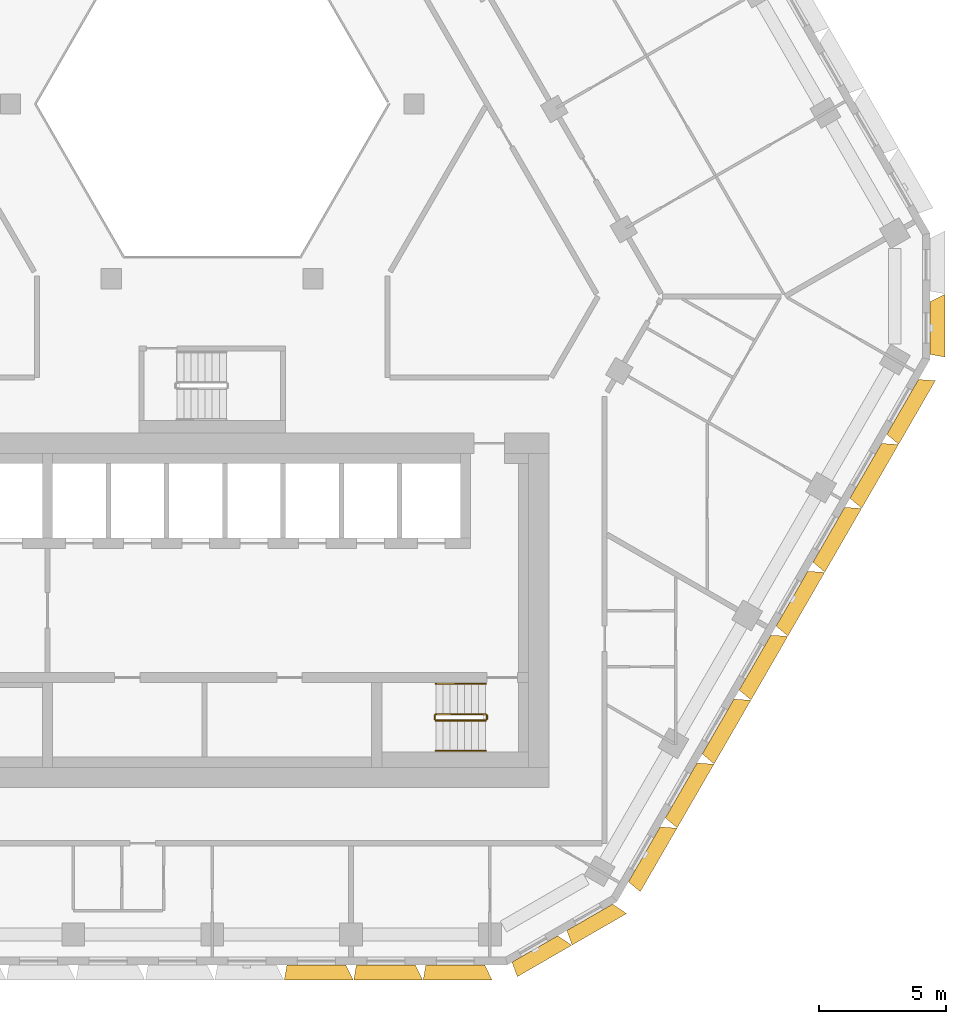
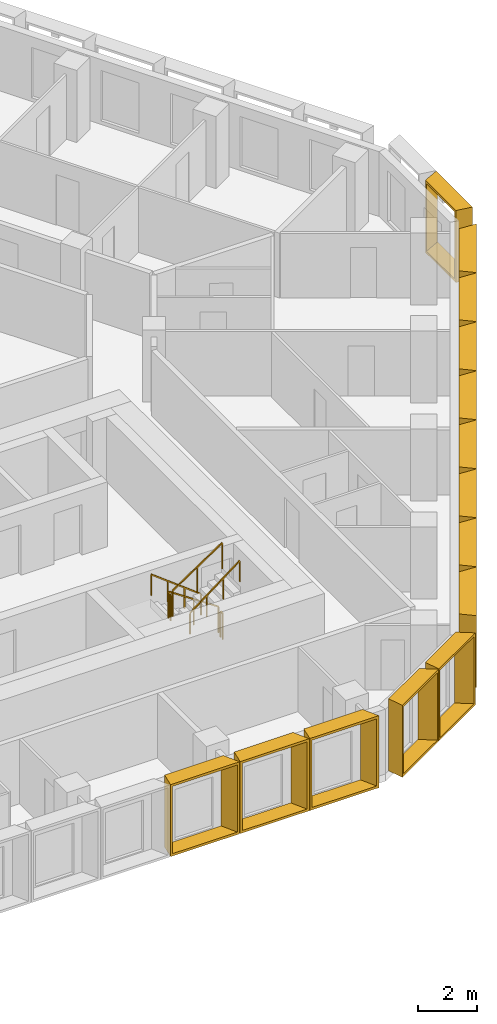
# One storey, part 16 of 17: 14 shading devices, 6 railings.
"""IFC4 building model written with IfcOpenShell, lengths in metres."""

from ifc_helpers import new_model, entity, si_unit, direction, frame, origin, origin_2d, place, context, subcontext, project, spatial, rectangle, extrude, source, transform, mapped, material, type_object, type_shapes, element, save


model = new_model("IFC4")

# Units and contexts
model_context = context("Model", 3, precision=1e-05, world=origin(), true_north=direction((0.0, 1.0)))
body_context = subcontext(model_context, "Body", "Model", "MODEL_VIEW")
ifc_project = project(units=[si_unit("LENGTHUNIT", "METRE"), si_unit("AREAUNIT", "SQUARE_METRE"), si_unit("VOLUMEUNIT", "CUBIC_METRE"), si_unit("PLANEANGLEUNIT", "RADIAN"), si_unit("MASSUNIT", "GRAM", prefix="KILO")], contexts=[model_context])

# Site, building, storey
site_placement = place(None, origin())
site = spatial("IfcSite", under=ifc_project, at=site_placement, CompositionType="ELEMENT")
building_placement = place(site_placement, origin())
building = spatial("IfcBuilding", under=site, at=building_placement, Name="Beryl Residences", CompositionType="ELEMENT")
storey_placement = place(building_placement, frame((0.0, 0.0, 120.60009765625)))
storey = spatial("IfcBuildingStorey", under=building, at=storey_placement, Name="L36", CompositionType="ELEMENT", Elevation=120.60009765625)

# Shading devices
ifc_material_1 = material(Name="Aluminium pale anodised", Category="aluminium")
shading_device_type_1 = type_object("IfcShadingDeviceType", Name="FR250-60C OUTER SKIN frame 600 mm deep, splay 10/26 deg, 2500 x 3000 mm cell", PredefinedType="USERDEFINED", material=ifc_material_1)
cartesian_point_1 = entity("IfcCartesianPoint", [-1.04052734375, 0.0])
cartesian_point_2 = entity("IfcCartesianPoint", [-0.959228515625, 0.10009765625])
cartesian_point_3 = entity("IfcCartesianPoint", [-1.146240234375, 0.0])
cartesian_point_4 = entity("IfcCartesianPoint", [-1.06494140625, 0.10009765625])
shared_shape_1 = source(origin(), body_context, "Body", "SweptSolid", [
    entity("IfcExtrudedAreaSolidTapered", entity("IfcArbitraryProfileDefWithVoids", "AREA", None, entity("IfcPolyline", [cartesian_point_1, entity("IfcCartesianPoint", [1.04052734375, 0.0]), entity("IfcCartesianPoint", [1.04052734375, 3.0]), entity("IfcCartesianPoint", [-1.04052734375, 3.0]), cartesian_point_1]), [entity("IfcPolyline", [cartesian_point_2, entity("IfcCartesianPoint", [0.951416015625, 0.10009765625]), entity("IfcCartesianPoint", [0.951416015625, 2.89990234375]), entity("IfcCartesianPoint", [-0.959228515625, 2.89990234375]), cartesian_point_2])]), entity("IfcAxis2Placement3D", entity("IfcCartesianPoint", [0.0, 0.0, 0.0]), entity("IfcDirection", [0.0, 1.0, 0.0]), entity("IfcDirection", [-1.0, 0.0, 0.0])), entity("IfcDirection", [0.0, 0.0, 1.0]), 0.60009765625, entity("IfcArbitraryProfileDefWithVoids", "AREA", None, entity("IfcPolyline", [cartesian_point_3, entity("IfcCartesianPoint", [1.333251953125, 0.0]), entity("IfcCartesianPoint", [1.333251953125, 3.0]), entity("IfcCartesianPoint", [-1.146240234375, 3.0]), cartesian_point_3]), [entity("IfcPolyline", [cartesian_point_4, entity("IfcCartesianPoint", [1.244140625, 0.10009765625]), entity("IfcCartesianPoint", [1.244140625, 2.89990234375]), entity("IfcCartesianPoint", [-1.06494140625, 2.89990234375]), cartesian_point_4])])),
])
type_shapes(shading_device_type_1, [shared_shape_1])
for number, where, z_axis, x_axis, name in (
    (1, (12.7451171875, -25.375, 0.0), (0.0, 0.0, 1.0), (-0.866025403784, -0.5, 0.0), "FR250-60C frame L36 S-SE 1"),
    (2, (14.909912109375, -24.125, 0.0), (0.0, 0.0, 1.0), (-0.866025403784, -0.5, 0.0), "FR250-60C frame L36 S-SE 2"),
    (3, (28.347900390625, -0.85009765625, 0.0), (0.0, 0.0, 1.0), (0.0, -1.0, 0.0), "FR250-60C frame L36 SE-NE 1"),
):
    element("IfcShadingDevice", number, at=place(storey_placement, frame(where, z_axis=z_axis, x_axis=x_axis)), inside=storey, type_object=shading_device_type_1, Name=name, ObjectType="OUTER SKIN", PredefinedType="USERDEFINED", context=body_context, shape_type="MappedRepresentation", body=[
        mapped(shared_shape_1, transform((0.0, 0.0, 0.0))),
    ])
ifc_material_2 = material(Name="Aluminium pale anodised", Category="aluminium")
shading_device_type_2 = type_object("IfcShadingDeviceType", Name="FR274-60C OUTER SKIN frame 600 mm deep, splay 10/26 deg, 2740 x 3000 mm cell", PredefinedType="USERDEFINED", material=ifc_material_2)
cartesian_point_5 = entity("IfcCartesianPoint", [-1.160400390625, 0.0])
cartesian_point_6 = entity("IfcCartesianPoint", [-1.079345703125, 0.10009765625])
cartesian_point_7 = entity("IfcCartesianPoint", [-1.266357421875, 0.0])
cartesian_point_8 = entity("IfcCartesianPoint", [-1.18505859375, 0.10009765625])
shared_shape_2 = source(origin(), body_context, "Body", "SweptSolid", [
    entity("IfcExtrudedAreaSolidTapered", entity("IfcArbitraryProfileDefWithVoids", "AREA", None, entity("IfcPolyline", [cartesian_point_5, entity("IfcCartesianPoint", [1.160400390625, 0.0]), entity("IfcCartesianPoint", [1.160400390625, 3.0]), entity("IfcCartesianPoint", [-1.160400390625, 3.0]), cartesian_point_5]), [entity("IfcPolyline", [cartesian_point_6, entity("IfcCartesianPoint", [1.071533203125, 0.10009765625]), entity("IfcCartesianPoint", [1.071533203125, 2.89990234375]), entity("IfcCartesianPoint", [-1.079345703125, 2.89990234375]), cartesian_point_6])]), entity("IfcAxis2Placement3D", entity("IfcCartesianPoint", [0.0, 0.0, 0.0]), entity("IfcDirection", [0.0, 1.0, 0.0]), entity("IfcDirection", [-1.0, 0.0, 0.0])), entity("IfcDirection", [0.0, 0.0, 1.0]), 0.60009765625, entity("IfcArbitraryProfileDefWithVoids", "AREA", None, entity("IfcPolyline", [cartesian_point_7, entity("IfcCartesianPoint", [1.453125, 0.0]), entity("IfcCartesianPoint", [1.453125, 3.0]), entity("IfcCartesianPoint", [-1.266357421875, 3.0]), cartesian_point_7]), [entity("IfcPolyline", [cartesian_point_8, entity("IfcCartesianPoint", [1.364013671875, 0.10009765625]), entity("IfcCartesianPoint", [1.364013671875, 2.89990234375]), entity("IfcCartesianPoint", [-1.18505859375, 2.89990234375]), cartesian_point_8])])),
])
type_shapes(shading_device_type_2, [shared_shape_2])
for number, where, z_axis, x_axis, name in (
    (4, (4.114990234375, -26.0, 0.0), (0.0, 0.0, 1.0), (-1.0, 0.0, 0.0), "FR274-60C frame L36 S 6"),
    (5, (6.85693359375, -26.0, 0.0), (0.0, 0.0, 1.0), (-1.0, 0.0, 0.0), "FR274-60C frame L36 S 7"),
    (6, (9.60009765625, -26.0, 0.0), (0.0, 0.0, 1.0), (-1.0, 0.0, 0.0), "FR274-60C frame L36 S 8"),
):
    element("IfcShadingDevice", number, at=place(storey_placement, frame(where, z_axis=z_axis, x_axis=x_axis)), inside=storey, type_object=shading_device_type_2, Name=name, ObjectType="OUTER SKIN", PredefinedType="USERDEFINED", context=body_context, shape_type="MappedRepresentation", body=[
        mapped(shared_shape_2, transform((0.0, 0.0, 0.0))),
    ])
ifc_material_3 = material(Name="Aluminium pale anodised", Category="aluminium")
shading_device_type_3 = type_object("IfcShadingDeviceType", Name="FR292-60C OUTER SKIN frame 600 mm deep, splay 10/26 deg, 2920 x 3000 mm cell", PredefinedType="USERDEFINED", material=ifc_material_3)
cartesian_point_9 = entity("IfcCartesianPoint", [-1.25048828125, 0.0])
cartesian_point_10 = entity("IfcCartesianPoint", [-1.169189453125, 0.10009765625])
cartesian_point_11 = entity("IfcCartesianPoint", [-1.356201171875, 0.0])
cartesian_point_12 = entity("IfcCartesianPoint", [-1.275146484375, 0.10009765625])
shared_shape_3 = source(origin(), body_context, "Body", "SweptSolid", [
    entity("IfcExtrudedAreaSolidTapered", entity("IfcArbitraryProfileDefWithVoids", "AREA", None, entity("IfcPolyline", [cartesian_point_9, entity("IfcCartesianPoint", [1.25048828125, 0.0]), entity("IfcCartesianPoint", [1.25048828125, 3.0]), entity("IfcCartesianPoint", [-1.25048828125, 3.0]), cartesian_point_9]), [entity("IfcPolyline", [cartesian_point_10, entity("IfcCartesianPoint", [1.161376953125, 0.10009765625]), entity("IfcCartesianPoint", [1.161376953125, 2.89990234375]), entity("IfcCartesianPoint", [-1.169189453125, 2.89990234375]), cartesian_point_10])]), entity("IfcAxis2Placement3D", entity("IfcCartesianPoint", [0.0, 0.0, 0.0]), entity("IfcDirection", [0.0, 1.0, 0.0]), entity("IfcDirection", [-1.0, 0.0, 0.0])), entity("IfcDirection", [0.0, 0.0, 1.0]), 0.60009765625, entity("IfcArbitraryProfileDefWithVoids", "AREA", None, entity("IfcPolyline", [cartesian_point_11, entity("IfcCartesianPoint", [1.543212890625, 0.0]), entity("IfcCartesianPoint", [1.543212890625, 3.0]), entity("IfcCartesianPoint", [-1.356201171875, 3.0]), cartesian_point_11]), [entity("IfcPolyline", [cartesian_point_12, entity("IfcCartesianPoint", [1.4541015625, 0.10009765625]), entity("IfcCartesianPoint", [1.4541015625, 2.89990234375]), entity("IfcCartesianPoint", [-1.275146484375, 2.89990234375]), cartesian_point_12])])),
])
type_shapes(shading_device_type_3, [shared_shape_3])
for number, where, z_axis, x_axis, name in (
    (7, (17.06689453125, -21.637939453125, 0.0), (0.0, 0.0, 1.0), (-0.5, -0.866025403784, 0.0), "FR292-60C frame L36 SE 1"),
    (8, (18.52490234375, -19.113037109375, 0.0), (0.0, 0.0, 1.0), (-0.5, -0.866025403784, 0.0), "FR292-60C frame L36 SE 2"),
    (9, (19.98291015625, -16.587890625, 0.0), (0.0, 0.0, 1.0), (-0.5, -0.866025403784, 0.0), "FR292-60C frame L36 SE 3"),
    (10, (21.44091796875, -14.06298828125, 0.0), (0.0, 0.0, 1.0), (-0.5, -0.866025403784, 0.0), "FR292-60C frame L36 SE 4"),
    (11, (22.89794921875, -11.5380859375, 0.0), (0.0, 0.0, 1.0), (-0.5, -0.866025403784, 0.0), "FR292-60C frame L36 SE 5"),
    (12, (24.35595703125, -9.013916015625, 0.0), (0.0, 0.0, 1.0), (-0.5, -0.866025403784, 0.0), "FR292-60C frame L36 SE 6"),
    (13, (25.81396484375, -6.489013671875, 0.0), (0.0, 0.0, 1.0), (-0.5, -0.866025403784, 0.0), "FR292-60C frame L36 SE 7"),
    (14, (27.27197265625, -3.964111328125, 0.0), (0.0, 0.0, 1.0), (-0.5, -0.866025403784, 0.0), "FR292-60C frame L36 SE 8"),
):
    element("IfcShadingDevice", number, at=place(storey_placement, frame(where, z_axis=z_axis, x_axis=x_axis)), inside=storey, type_object=shading_device_type_3, Name=name, ObjectType="OUTER SKIN", PredefinedType="USERDEFINED", context=body_context, shape_type="MappedRepresentation", body=[
        mapped(shared_shape_3, transform((0.0, 0.0, 0.0))),
    ])

# Railings
ifc_material_4 = material(Name="Stainless steel balustrade with glass infill", Category="steel")
railing_type_1 = type_object("IfcRailingType", Name="SG1 stair guard 1100 mm", PredefinedType="GUARDRAIL", material=ifc_material_4)
railing_1_placement = place(storey_placement, frame((10.800048828125, -16.10009765625, 0.1875)))
element("IfcRailing", 15, at=railing_1_placement, inside=storey, type_object=railing_type_1, Name="L36 ST-3 stair guard 1", PredefinedType="GUARDRAIL", context=body_context, shape_type="SweptSolid", body=[
    extrude(rectangle(XDim=0.048095703125, YDim=0.048095703125, at=origin_2d()), frame((0.0, 0.0, 1.076171875), z_axis=(-0.830902050051, 0.0, 0.556418712142), x_axis=(0.0, -1.0, 0.0)), (0.0, 0.0, 1.0), 2.35888671875),
    extrude(rectangle(XDim=0.0419921875, YDim=0.0419921875, at=origin_2d()), origin(), (0.0, 0.0, 1.0), 1.052001953125),
    extrude(rectangle(XDim=0.0419921875, YDim=0.0419921875, at=origin_2d()), frame((-0.97998046875, 0.0, 0.65625)), (0.0, 0.0, 1.0), 1.052001953125),
    extrude(rectangle(XDim=0.0419921875, YDim=0.0419921875, at=origin_2d()), frame((-1.9599609375, 0.0, 1.3125)), (0.0, 0.0, 1.0), 1.052001953125),
])
railing_2_placement = place(storey_placement, frame((8.7900390625, -16.14990234375, 1.5)))
element("IfcRailing", 16, at=railing_2_placement, inside=storey, type_object=railing_type_1, Name="L36 ST-3 stair guard 2", PredefinedType="GUARDRAIL", context=body_context, shape_type="SweptSolid", body=[
    extrude(rectangle(XDim=0.048095703125, YDim=0.048095703125, at=origin_2d()), frame((0.0, 0.0, 1.076171875), z_axis=(0.0, -1.0, 0.0), x_axis=(1.0, 0.0, 0.0)), (0.0, 0.0, 1.0), 0.150146484375),
    extrude(rectangle(XDim=0.0419921875, YDim=0.0419921875, at=origin_2d()), origin(), (0.0, 0.0, 1.0), 1.052001953125),
    extrude(rectangle(XDim=0.0419921875, YDim=0.0419921875, at=origin_2d()), frame((0.0, -0.150146484375, 0.0)), (0.0, 0.0, 1.0), 1.052001953125),
])
railing_3_placement = place(storey_placement, frame((8.840087890625, -16.35009765625, 1.6875)))
element("IfcRailing", 17, at=railing_3_placement, inside=storey, type_object=railing_type_1, Name="L36 ST-3 stair guard 3", PredefinedType="GUARDRAIL", context=body_context, shape_type="SweptSolid", body=[
    extrude(rectangle(XDim=0.048095703125, YDim=0.048095703125, at=origin_2d()), frame((0.0, 0.0, 1.076171875), z_axis=(0.830902050051, 0.0, 0.556418712142), x_axis=(0.0, 1.0, 0.0)), (0.0, 0.0, 1.0), 2.35888671875),
    extrude(rectangle(XDim=0.0419921875, YDim=0.0419921875, at=origin_2d()), origin(), (0.0, 0.0, 1.0), 1.052001953125),
    extrude(rectangle(XDim=0.0419921875, YDim=0.0419921875, at=origin_2d()), frame((0.97998046875, 0.0, 0.65625)), (0.0, 0.0, 1.0), 1.052001953125),
    extrude(rectangle(XDim=0.0419921875, YDim=0.0419921875, at=origin_2d()), frame((1.9599609375, 0.0, 1.3125)), (0.0, 0.0, 1.0), 1.052001953125),
])
railing_4_placement = place(storey_placement, frame((10.85009765625, -16.14990234375, 0.0)))
element("IfcRailing", 18, at=railing_4_placement, inside=storey, type_object=railing_type_1, Name="L36 ST-3 stair guard 4", PredefinedType="GUARDRAIL", context=body_context, shape_type="SweptSolid", body=[
    extrude(rectangle(XDim=0.048095703125, YDim=0.048095703125, at=origin_2d()), frame((0.0, 0.0, 1.076171875), z_axis=(0.0, -1.0, 0.0), x_axis=(1.0, 0.0, 0.0)), (0.0, 0.0, 1.0), 0.150146484375),
    extrude(rectangle(XDim=0.0419921875, YDim=0.0419921875, at=origin_2d()), origin(), (0.0, 0.0, 1.0), 1.052001953125),
    extrude(rectangle(XDim=0.0419921875, YDim=0.0419921875, at=origin_2d()), frame((0.0, -0.150146484375, 0.0)), (0.0, 0.0, 1.0), 1.052001953125),
])
ifc_material_5 = material(Name="Stainless steel handrail", Category="steel")
railing_type_2 = type_object("IfcRailingType", Name="SRL1 stair handrail 900 mm", PredefinedType="HANDRAIL", material=ifc_material_5)
railing_5_placement = place(storey_placement, frame((10.800048828125, -14.89990234375, 0.1875)))
element("IfcRailing", 19, at=railing_5_placement, inside=storey, type_object=railing_type_2, Name="L36 ST-3 stair handrail 1", PredefinedType="HANDRAIL", context=body_context, shape_type="SweptSolid", body=[
    extrude(rectangle(XDim=0.048095703125, YDim=0.048095703125, at=origin_2d()), frame((0.0, 0.0, 0.8759765625), z_axis=(-0.794121922505, 0.0, 0.607758481798), x_axis=(0.0, -1.0, 0.0)), (0.0, 0.0, 1.0), 2.468017578125),
    extrude(rectangle(XDim=0.0419921875, YDim=0.0419921875, at=origin_2d()), origin(), (0.0, 0.0, 1.0), 0.851806640625),
    extrude(rectangle(XDim=0.0419921875, YDim=0.0419921875, at=origin_2d()), frame((-0.6533203125, 0.0, 0.5)), (0.0, 0.0, 1.0), 0.851806640625),
    extrude(rectangle(XDim=0.0419921875, YDim=0.0419921875, at=origin_2d()), frame((-1.306640625, 0.0, 1.0)), (0.0, 0.0, 1.0), 0.851806640625),
    extrude(rectangle(XDim=0.0419921875, YDim=0.0419921875, at=origin_2d()), frame((-1.9599609375, 0.0, 1.5)), (0.0, 0.0, 1.0), 0.851806640625),
])
railing_6_placement = place(storey_placement, frame((8.840087890625, -17.550048828125, 1.6875)))
element("IfcRailing", 20, at=railing_6_placement, inside=storey, type_object=railing_type_2, Name="L36 ST-3 stair handrail 2", PredefinedType="HANDRAIL", context=body_context, shape_type="SweptSolid", body=[
    extrude(rectangle(XDim=0.048095703125, YDim=0.048095703125, at=origin_2d()), frame((0.0, 0.0, 0.8759765625), z_axis=(0.794121922505, 0.0, 0.607758481798), x_axis=(0.0, 1.0, 0.0)), (0.0, 0.0, 1.0), 2.468017578125),
    extrude(rectangle(XDim=0.0419921875, YDim=0.0419921875, at=origin_2d()), origin(), (0.0, 0.0, 1.0), 0.851806640625),
    extrude(rectangle(XDim=0.0419921875, YDim=0.0419921875, at=origin_2d()), frame((0.6533203125, 0.0, 0.5)), (0.0, 0.0, 1.0), 0.851806640625),
    extrude(rectangle(XDim=0.0419921875, YDim=0.0419921875, at=origin_2d()), frame((1.306640625, 0.0, 1.0)), (0.0, 0.0, 1.0), 0.851806640625),
    extrude(rectangle(XDim=0.0419921875, YDim=0.0419921875, at=origin_2d()), frame((1.9599609375, 0.0, 1.5)), (0.0, 0.0, 1.0), 0.851806640625),
])

save(model, "model.ifc")
